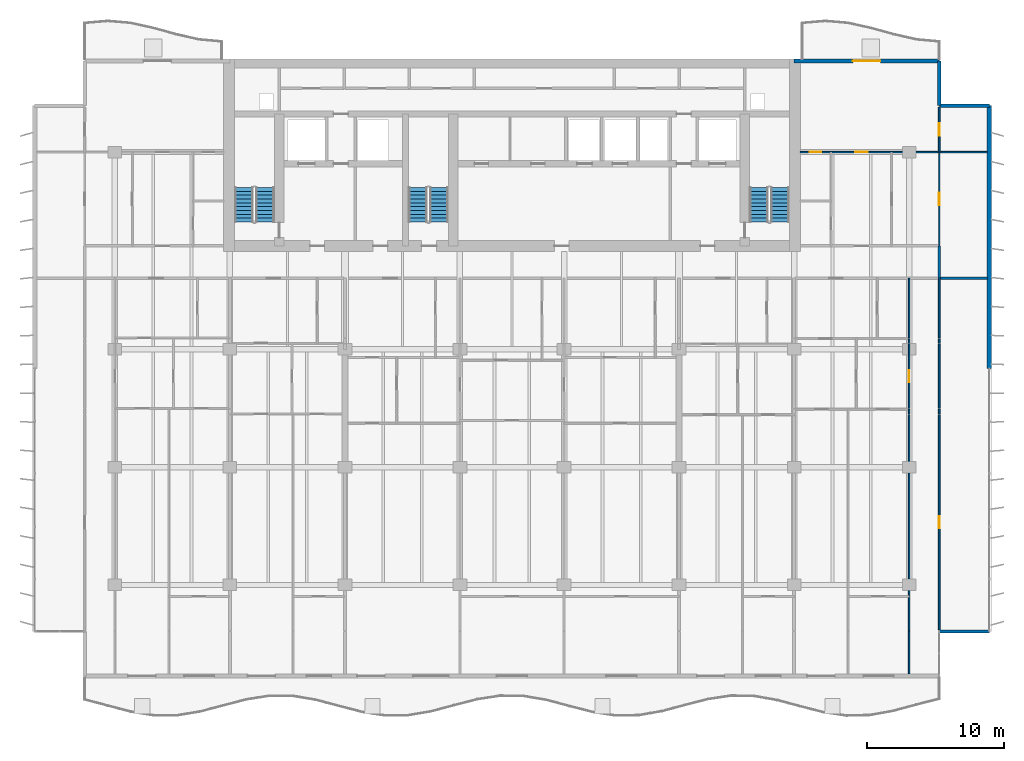
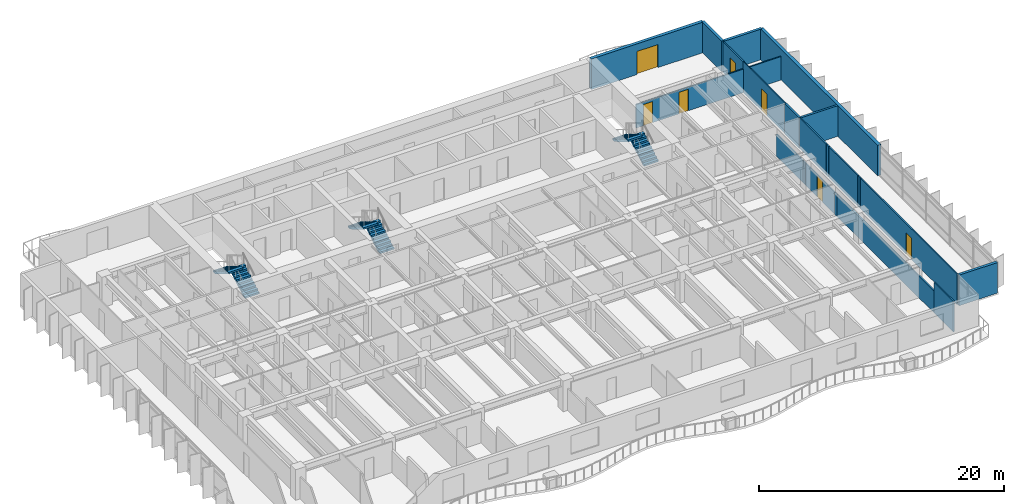
# One storey, part 12 of 17: 21 walls, 7 doors, 6 stair flights, 7 openings, 3 elements without a shape of their own.
"""IFC4 building model written with IfcOpenShell, lengths in metres."""

from ifc_helpers import new_model, si_unit, direction, frame, frame_2d, origin, place, context, subcontext, project, spatial, polyline, rectangle, outline, extrude, material, layer, layer_set, type_object, element, fill, aggregate, save


model = new_model("IFC4")

# Units and contexts
model_context = context("Model", 3, precision=1e-05, world=origin(), true_north=direction((0.0, 1.0)))
body_context = subcontext(model_context, "Body", "Model", "MODEL_VIEW")
ifc_project = project(units=[si_unit("LENGTHUNIT", "METRE"), si_unit("AREAUNIT", "SQUARE_METRE"), si_unit("VOLUMEUNIT", "CUBIC_METRE"), si_unit("PLANEANGLEUNIT", "RADIAN"), si_unit("MASSUNIT", "GRAM", prefix="KILO")], contexts=[model_context])

# Site, building, storey
site_placement = place(None, origin())
site = spatial("IfcSite", under=ifc_project, at=site_placement, CompositionType="ELEMENT")
building_placement = place(site_placement, origin())
building = spatial("IfcBuilding", under=site, at=building_placement, Name="Caelmar Bay Residences", CompositionType="ELEMENT")
storey_placement = place(building_placement, frame((0.0, 0.0, 105.89990234375)))
storey = spatial("IfcBuildingStorey", under=building, at=storey_placement, Name="L28", CompositionType="ELEMENT", Elevation=105.89990234375)

# Walls
ifc_material_1 = material(Name="Double-stud acoustic fire-rated gypsum partition 180 mm")
ifc_layer_1 = layer(ifc_material_1, 0.179931640625)
ifc_layer_set_1 = layer_set([ifc_layer_1], Name="Double-stud acoustic fire-rated gypsum partition 180 mm")
wall_type_1 = type_object("IfcWallType", Name="W-COR-200", PredefinedType="PARTITIONING", material=ifc_layer_set_1)
wall_1_placement = place(storey_placement, frame((70.10009765625, 34.60498046875, 0.0), z_axis=(0.0, 0.0, 1.0), x_axis=(0.0, 1.0, 0.0)))
element("IfcWall", 1, at=wall_1_placement, inside=storey, type_object=wall_type_1, Name="L28 Partition Wall V117", PredefinedType="PARTITIONING", context=body_context, shape_type="SweptSolid", body=[
    extrude(rectangle(XDim=2.344970703125, YDim=0.179931640625, at=frame_2d((1.17236328125, 0.0))), origin(), (0.0, 0.0, 1.0), 3.050048828125),
])
ifc_material_2 = material(Name="Precast concrete f'c 40 MPa (6,000 psi)", Category="concrete")
ifc_layer_2 = layer(ifc_material_2, 0.25)
ifc_layer_set_2 = layer_set([ifc_layer_2], Name="Precast concrete f'c 40 MPa (6,000 psi)")
wall_type_2 = type_object("IfcWallType", Name="W-EXT-250", PredefinedType="ELEMENTEDWALL", material=ifc_layer_set_2)
wall_2_placement = place(storey_placement, frame((70.10009765625, 8.800048828125, 0.0), z_axis=(0.0, 0.0, 1.0), x_axis=(1.0, 0.0, 0.0)))
element("IfcWall", 2, at=wall_2_placement, inside=storey, type_object=wall_type_2, Name="L28 SE Notch Return Wall", PredefinedType="ELEMENTEDWALL", context=body_context, shape_type="SweptSolid", body=[
    extrude(rectangle(XDim=3.64990234375, YDim=0.25, at=frame_2d((1.824951171875, 0.0))), origin(), (0.0, 0.0, 1.0), 3.050048828125),
])
wall_3_placement = place(storey_placement, frame((70.10009765625, 50.449951171875, 0.0), z_axis=(0.0, 0.0, 1.0), x_axis=(0.0, -1.0, 0.0)))
element("IfcWall", 3, at=wall_3_placement, inside=storey, type_object=wall_type_2, Name="L28 NNE-V Notch Wall", PredefinedType="ELEMENTEDWALL", context=body_context, shape_type="SweptSolid", body=[
    extrude(rectangle(XDim=3.25, YDim=0.25, at=frame_2d((1.625, 0.0))), origin(), (0.0, 0.0, 1.0), 3.050048828125),
])
wall_4_placement = place(storey_placement, frame((70.10009765625, 47.199951171875, 0.0), z_axis=(0.0, 0.0, 1.0), x_axis=(1.0, 0.0, 0.0)))
element("IfcWall", 4, at=wall_4_placement, inside=storey, type_object=wall_type_2, Name="L28 NNE-H Notch Wall", PredefinedType="ELEMENTEDWALL", context=body_context, shape_type="SweptSolid", body=[
    extrude(rectangle(XDim=3.64990234375, YDim=0.25, at=frame_2d((1.824951171875, 0.0))), origin(), (0.0, 0.0, 1.0), 3.050048828125),
])
ifc_layer_3 = layer(ifc_material_2, 0.300048828125)
ifc_layer_set_3 = layer_set([ifc_layer_3], Name="Precast concrete f'c 40 MPa (6,000 psi)")
wall_type_3 = type_object("IfcWallType", Name="W-EXT-300", PredefinedType="STANDARD", material=ifc_layer_set_3)
wall_5_placement = place(storey_placement, frame((73.75, 47.199951171875, 0.0), z_axis=(0.0, 0.0, 1.0), x_axis=(0.0, -1.0, 0.0)))
element("IfcWall", 5, at=wall_5_placement, inside=storey, type_object=wall_type_3, Name="L28 East Rear Exterior Wall", PredefinedType="STANDARD", context=body_context, shape_type="SweptSolid", body=[
    extrude(rectangle(XDim=19.199951171875, YDim=0.300048828125, at=frame_2d((9.60009765625, 0.0))), origin(), (0.0, 0.0, 1.0), 3.050048828125),
])

# Wall, opening, door
wall_6_placement = place(storey_placement, frame((59.5, 50.449951171875, 0.0), z_axis=(0.0, 0.0, 1.0), x_axis=(1.0, 0.0, 0.0)))
wall_6 = element("IfcWall", 6, at=wall_6_placement, inside=storey, type_object=wall_type_3, Name="L28 North-East Wing Exterior Wall", PredefinedType="STANDARD", context=body_context, shape_type="SweptSolid", body=[
    extrude(rectangle(XDim=10.60009765625, YDim=0.300048828125, at=frame_2d((5.300048828125, 0.0))), origin(), (0.0, 0.0, 1.0), 3.050048828125),
])
opening_1_placement = place(wall_6_placement, frame((4.300048828125, 0.0, 0.0)))
opening_1 = element("IfcOpeningElement", 7, at=opening_1_placement, cuts=wall_6, Name="Opening L28-BDNE", PredefinedType="OPENING", context=body_context, shape_type="SweptSolid", body=[
    extrude(rectangle(XDim=2.0, YDim=2.300048828125, at=frame_2d((1.0, 1.14990234375))), frame((0.0, 0.159912109375, 0.0), z_axis=(0.0, -1.0, 0.0), x_axis=(1.0, 0.0, 0.0)), (0.0, 0.0, 1.0), 0.320068359375),
])
ifc_material_3 = material(Name="Anodised bronze thermally broken sliding glass door", Category="glass")
ifc_layer_4 = layer(ifc_material_3, 0.050048828125)
ifc_layer_set_4 = layer_set([ifc_layer_4], Name="Anodised bronze thermally broken sliding glass door")
door_type_1 = type_object("IfcDoorType", Name="D-BAL-2000", OperationType="DOUBLE_DOOR_SLIDING", PredefinedType="DOOR", material=ifc_layer_set_4)
door_1_placement = place(opening_1_placement, origin())
door_1 = element("IfcDoor", 8, at=door_1_placement, inside=storey, type_object=door_type_1, Name="L28 North-East Balcony Door", OperationType="DOUBLE_DOOR_SLIDING", OverallHeight=2.300048828125, OverallWidth=2.0, PredefinedType="DOOR", context=body_context, shape_type="SweptSolid", body=[
    extrude(rectangle(XDim=2.0, YDim=2.300048828125, at=frame_2d((1.0, 1.14990234375))), frame((0.0, 0.02490234375, 0.0), z_axis=(0.0, -1.0, 0.0), x_axis=(1.0, 0.0, 0.0)), (0.0, 0.0, 1.0), 0.050048828125),
])
fill(opening_1, door_1)

ifc_material_4 = material(Name="Anodised bronze framed acoustic sliding study partition 100 mm")
ifc_layer_5 = layer(ifc_material_4, 0.10009765625)
ifc_layer_set_5 = layer_set([ifc_layer_5], Name="Anodised bronze framed acoustic sliding study partition 100 mm")
wall_type_4 = type_object("IfcWallType", Name="W-MOV-100", PredefinedType="MOVABLE", material=ifc_layer_set_5)
wall_7_placement = place(storey_placement, frame((70.10009765625, 36.955078125, 0.0), z_axis=(0.0, 0.0, 1.0), x_axis=(0.0, 1.0, 0.0)))
wall_7 = element("IfcWall", 9, at=wall_7_placement, inside=storey, type_object=wall_type_4, Name="L28 Partition Wall V118", PredefinedType="MOVABLE", context=body_context, shape_type="SweptSolid", body=[
    extrude(rectangle(XDim=6.844970703125, YDim=0.10009765625, at=frame_2d((3.42236328125, 0.0))), origin(), (0.0, 0.0, 1.0), 3.050048828125),
])
opening_2_placement = place(wall_7_placement, frame((2.972412109375, 0.0, 0.0)))
opening_2 = element("IfcOpeningElement", 10, at=opening_2_placement, cuts=wall_7, Name="Opening D-L28-183", PredefinedType="OPENING", context=body_context, shape_type="SweptSolid", body=[
    extrude(rectangle(XDim=0.89990234375, YDim=2.14990234375, at=frame_2d((0.449951171875, 1.074951171875))), frame((0.0, 0.06005859375, 0.0), z_axis=(0.0, -1.0, 0.0), x_axis=(1.0, 0.0, 0.0)), (0.0, 0.0, 1.0), 0.1201171875),
])
ifc_material_5 = material(Name="Solid walnut timber interior door leaf and frame", Category="wood")
ifc_layer_6 = layer(ifc_material_5, 0.050048828125)
ifc_layer_set_6 = layer_set([ifc_layer_6], Name="Solid walnut timber interior door leaf and frame")
door_type_2 = type_object("IfcDoorType", Name="D-ROOM-900", OperationType="NOTDEFINED", PredefinedType="DOOR", material=ifc_layer_set_6)
door_2_placement = place(opening_2_placement, origin())
door_2 = element("IfcDoor", 11, at=door_2_placement, inside=storey, type_object=door_type_2, Name="L28 Residence EA Sun Study Door", OperationType="SINGLE_SWING_LEFT", OverallHeight=2.14990234375, OverallWidth=0.89990234375, PredefinedType="DOOR", context=body_context, shape_type="SweptSolid", body=[
    extrude(rectangle(XDim=0.89990234375, YDim=2.14990234375, at=frame_2d((0.449951171875, 1.074951171875))), frame((0.0, 0.02490234375, 0.0), z_axis=(0.0, -1.0, 0.0), x_axis=(1.0, 0.0, 0.0)), (0.0, 0.0, 1.0), 0.050048828125),
])
fill(opening_2, door_2)

# Walls
ifc_material_6 = material(Name="Acoustic metal-stud gypsum partition 120 mm")
ifc_layer_7 = layer(ifc_material_6, 0.1201171875)
ifc_layer_set_7 = layer_set([ifc_layer_7], Name="Acoustic metal-stud gypsum partition 120 mm")
wall_type_5 = type_object("IfcWallType", Name="W-PRT-120", PredefinedType="PARTITIONING", material=ifc_layer_set_7)
wall_8_placement = place(storey_placement, frame((67.89990234375, 5.695068359375, 0.0), z_axis=(0.0, 0.0, 1.0), x_axis=(0.0, 1.0, 0.0)))
element("IfcWall", 12, at=wall_8_placement, inside=storey, type_object=wall_type_5, Name="L28 Partition Wall V106", PredefinedType="PARTITIONING", context=body_context, shape_type="SweptSolid", body=[
    extrude(rectangle(XDim=3.10498046875, YDim=0.1201171875, at=frame_2d((1.552490234375, 0.0))), origin(), (0.0, 0.0, 1.0), 3.050048828125),
])
wall_9_placement = place(storey_placement, frame((67.89990234375, 8.840087890625, 0.0), z_axis=(0.0, 0.0, 1.0), x_axis=(0.0, 1.0, 0.0)))
element("IfcWall", 13, at=wall_9_placement, inside=storey, type_object=wall_type_5, Name="L28 Partition Wall V107", PredefinedType="PARTITIONING", context=body_context, shape_type="SweptSolid", body=[
    extrude(rectangle(XDim=15.789794921875, YDim=0.1201171875, at=frame_2d((7.89501953125, 0.0))), origin(), (0.0, 0.0, 1.0), 2.174072265625),
])
wall_10_placement = place(storey_placement, frame((67.89990234375, 24.68994140625, 0.0), z_axis=(0.0, 0.0, 1.0), x_axis=(0.0, 1.0, 0.0)))
element("IfcWall", 14, at=wall_10_placement, inside=storey, type_object=wall_type_5, Name="L28 Partition Wall V108", PredefinedType="PARTITIONING", context=body_context, shape_type="SweptSolid", body=[
    extrude(rectangle(XDim=0.340087890625, YDim=0.1201171875, at=frame_2d((0.169921875, 0.0))), origin(), (0.0, 0.0, 1.0), 2.174072265625),
])

# Wall, opening, door
wall_11_placement = place(storey_placement, frame((67.89990234375, 25.090087890625, 0.0), z_axis=(0.0, 0.0, 1.0), x_axis=(0.0, 1.0, 0.0)))
wall_11 = element("IfcWall", 15, at=wall_11_placement, inside=storey, type_object=wall_type_5, Name="L28 Partition Wall V109", PredefinedType="PARTITIONING", context=body_context, shape_type="SweptSolid", body=[
    extrude(rectangle(XDim=4.68994140625, YDim=0.1201171875, at=frame_2d((2.344970703125, 0.0))), origin(), (0.0, 0.0, 1.0), 2.174072265625),
])
opening_3_placement = place(wall_11_placement, frame((1.89501953125, 0.0, 0.0)))
opening_3 = element("IfcOpeningElement", 16, at=opening_3_placement, cuts=wall_11, Name="Opening D-L28-168", PredefinedType="OPENING", context=body_context, shape_type="SweptSolid", body=[
    extrude(rectangle(XDim=0.89990234375, YDim=2.1240234375, at=frame_2d((0.449951171875, 1.06201171875))), frame((0.0, 0.070068359375, 0.0), z_axis=(0.0, -1.0, 0.0), x_axis=(1.0, 0.0, 0.0)), (0.0, 0.0, 1.0), 0.14013671875),
])
door_3_placement = place(opening_3_placement, origin())
door_3 = element("IfcDoor", 17, at=door_3_placement, inside=storey, type_object=door_type_2, Name="L28 Residence 05 East Apartment Hall Door", OperationType="SINGLE_SWING_RIGHT", OverallHeight=2.1240234375, OverallWidth=0.89990234375, PredefinedType="DOOR", context=body_context, shape_type="SweptSolid", body=[
    extrude(rectangle(XDim=0.89990234375, YDim=2.1240234375, at=frame_2d((0.449951171875, 1.06201171875))), frame((0.0, 0.02490234375, 0.0), z_axis=(0.0, -1.0, 0.0), x_axis=(1.0, 0.0, 0.0)), (0.0, 0.0, 1.0), 0.050048828125),
])
fill(opening_3, door_3)

# Walls
wall_12_placement = place(storey_placement, frame((67.89990234375, 29.840087890625, 0.0), z_axis=(0.0, 0.0, 1.0), x_axis=(0.0, 1.0, 0.0)))
element("IfcWall", 18, at=wall_12_placement, inside=storey, type_object=wall_type_5, Name="L28 Partition Wall V110", PredefinedType="PARTITIONING", context=body_context, shape_type="SweptSolid", body=[
    extrude(rectangle(XDim=0.33984375, YDim=0.1201171875, at=frame_2d((0.169921875, 0.0))), origin(), (0.0, 0.0, 1.0), 2.174072265625),
])
wall_13_placement = place(storey_placement, frame((67.89990234375, 30.239990234375, 0.0), z_axis=(0.0, 0.0, 1.0), x_axis=(0.0, 1.0, 0.0)))
element("IfcWall", 19, at=wall_13_placement, inside=storey, type_object=wall_type_5, Name="L28 Partition Wall V111", PredefinedType="PARTITIONING", context=body_context, shape_type="SweptSolid", body=[
    extrude(rectangle(XDim=4.360107421875, YDim=0.1201171875, at=frame_2d((2.18017578125, 0.0))), origin(), (0.0, 0.0, 1.0), 2.174072265625),
])

# Wall, opening, door
wall_14_placement = place(storey_placement, frame((70.10009765625, 8.919921875, 0.0), z_axis=(0.0, 0.0, 1.0), x_axis=(0.0, 1.0, 0.0)))
wall_14 = element("IfcWall", 20, at=wall_14_placement, inside=storey, type_object=wall_type_5, Name="L28 Partition Wall V112", PredefinedType="PARTITIONING", context=body_context, shape_type="SweptSolid", body=[
    extrude(rectangle(XDim=15.7099609375, YDim=0.1201171875, at=frame_2d((7.85498046875, 0.0))), origin(), (0.0, 0.0, 1.0), 3.050048828125),
])
opening_4_placement = place(wall_14_placement, frame((7.405029296875, 0.0, 0.0)))
opening_4 = element("IfcOpeningElement", 21, at=opening_4_placement, cuts=wall_14, Name="Opening D-L28-170", PredefinedType="OPENING", context=body_context, shape_type="SweptSolid", body=[
    extrude(rectangle(XDim=0.89990234375, YDim=2.14990234375, at=frame_2d((0.449951171875, 1.074951171875))), frame((0.0, 0.070068359375, 0.0), z_axis=(0.0, -1.0, 0.0), x_axis=(1.0, 0.0, 0.0)), (0.0, 0.0, 1.0), 0.14013671875),
])
door_4_placement = place(opening_4_placement, origin())
door_4 = element("IfcDoor", 22, at=door_4_placement, inside=storey, type_object=door_type_2, Name="L28 Residence 05 Penthouse East Salon Door", OperationType="SINGLE_SWING_RIGHT", OverallHeight=2.14990234375, OverallWidth=0.89990234375, PredefinedType="DOOR", context=body_context, shape_type="SweptSolid", body=[
    extrude(rectangle(XDim=0.89990234375, YDim=2.14990234375, at=frame_2d((0.449951171875, 1.074951171875))), frame((0.0, 0.02490234375, 0.0), z_axis=(0.0, -1.0, 0.0), x_axis=(1.0, 0.0, 0.0)), (0.0, 0.0, 1.0), 0.050048828125),
])
fill(opening_4, door_4)

# Walls
wall_15_placement = place(storey_placement, frame((70.10009765625, 24.68994140625, 0.0), z_axis=(0.0, 0.0, 1.0), x_axis=(0.0, 1.0, 0.0)))
element("IfcWall", 23, at=wall_15_placement, inside=storey, type_object=wall_type_5, Name="L28 Partition Wall V113", PredefinedType="PARTITIONING", context=body_context, shape_type="SweptSolid", body=[
    extrude(rectangle(XDim=0.340087890625, YDim=0.1201171875, at=frame_2d((0.169921875, 0.0))), origin(), (0.0, 0.0, 1.0), 3.050048828125),
])
wall_16_placement = place(storey_placement, frame((70.10009765625, 25.090087890625, 0.0), z_axis=(0.0, 0.0, 1.0), x_axis=(0.0, 1.0, 0.0)))
element("IfcWall", 24, at=wall_16_placement, inside=storey, type_object=wall_type_5, Name="L28 Partition Wall V114", PredefinedType="PARTITIONING", context=body_context, shape_type="SweptSolid", body=[
    extrude(rectangle(XDim=4.68994140625, YDim=0.1201171875, at=frame_2d((2.344970703125, 0.0))), origin(), (0.0, 0.0, 1.0), 3.050048828125),
])
wall_17_placement = place(storey_placement, frame((70.10009765625, 29.840087890625, 0.0), z_axis=(0.0, 0.0, 1.0), x_axis=(0.0, 1.0, 0.0)))
element("IfcWall", 25, at=wall_17_placement, inside=storey, type_object=wall_type_5, Name="L28 Partition Wall V115", PredefinedType="PARTITIONING", context=body_context, shape_type="SweptSolid", body=[
    extrude(rectangle(XDim=0.33984375, YDim=0.1201171875, at=frame_2d((0.169921875, 0.0))), origin(), (0.0, 0.0, 1.0), 3.050048828125),
])
wall_18_placement = place(storey_placement, frame((70.10009765625, 30.239990234375, 0.0), z_axis=(0.0, 0.0, 1.0), x_axis=(0.0, 1.0, 0.0)))
element("IfcWall", 26, at=wall_18_placement, inside=storey, type_object=wall_type_5, Name="L28 Partition Wall V116", PredefinedType="PARTITIONING", context=body_context, shape_type="SweptSolid", body=[
    extrude(rectangle(XDim=4.360107421875, YDim=0.1201171875, at=frame_2d((2.18017578125, 0.0))), origin(), (0.0, 0.0, 1.0), 3.050048828125),
])

# Wall, opening, door
wall_19_placement = place(storey_placement, frame((70.10009765625, 43.804931640625, 0.0), z_axis=(0.0, 0.0, 1.0), x_axis=(0.0, 1.0, 0.0)))
wall_19 = element("IfcWall", 27, at=wall_19_placement, inside=storey, type_object=wall_type_5, Name="L28 Partition Wall V119", PredefinedType="PARTITIONING", context=body_context, shape_type="SweptSolid", body=[
    extrude(rectangle(XDim=3.275146484375, YDim=0.1201171875, at=frame_2d((1.6376953125, 0.0))), origin(), (0.0, 0.0, 1.0), 3.050048828125),
])
opening_5_placement = place(wall_19_placement, frame((1.1875, 0.0, 0.0)))
opening_5 = element("IfcOpeningElement", 28, at=opening_5_placement, cuts=wall_19, Name="Opening D-L28-184", PredefinedType="OPENING", context=body_context, shape_type="SweptSolid", body=[
    extrude(rectangle(XDim=0.89990234375, YDim=2.14990234375, at=frame_2d((0.449951171875, 1.074951171875))), frame((0.0, 0.070068359375, 0.0), z_axis=(0.0, -1.0, 0.0), x_axis=(1.0, 0.0, 0.0)), (0.0, 0.0, 1.0), 0.14013671875),
])
door_5_placement = place(opening_5_placement, origin())
door_5 = element("IfcDoor", 29, at=door_5_placement, inside=storey, type_object=door_type_2, Name="L28 Residence EA North Sitting Alcove Door", OperationType="SINGLE_SWING_RIGHT", OverallHeight=2.14990234375, OverallWidth=0.89990234375, PredefinedType="DOOR", context=body_context, shape_type="SweptSolid", body=[
    extrude(rectangle(XDim=0.89990234375, YDim=2.14990234375, at=frame_2d((0.449951171875, 1.074951171875))), frame((0.0, 0.02490234375, 0.0), z_axis=(0.0, -1.0, 0.0), x_axis=(1.0, 0.0, 0.0)), (0.0, 0.0, 1.0), 0.050048828125),
])
fill(opening_5, door_5)

# Wall, openings, doors
wall_20_placement = place(storey_placement, frame((59.945068359375, 43.800048828125, 0.0), z_axis=(0.0, 0.0, 1.0), x_axis=(1.0, 0.0, 0.0)))
wall_20 = element("IfcWall", 30, at=wall_20_placement, inside=storey, type_object=wall_type_5, Name="L28 Partition Wall H150", PredefinedType="PARTITIONING", context=body_context, shape_type="SweptSolid", body=[
    extrude(rectangle(XDim=13.659912109375, YDim=0.1201171875, at=frame_2d((6.830078125, 0.0))), origin(), (0.0, 0.0, 1.0), 2.339111328125),
])
opening_6_placement = place(wall_20_placement, frame((4.01708984375, 0.0, 0.0)))
opening_6 = element("IfcOpeningElement", 31, at=opening_6_placement, cuts=wall_20, Name="Opening D-L28-180", PredefinedType="OPENING", context=body_context, shape_type="SweptSolid", body=[
    extrude(rectangle(XDim=0.89990234375, YDim=2.14990234375, at=frame_2d((0.449951171875, 1.074951171875))), frame((0.0, 0.070068359375, 0.0), z_axis=(0.0, -1.0, 0.0), x_axis=(1.0, 0.0, 0.0)), (0.0, 0.0, 1.0), 0.14013671875),
])
opening_7_placement = place(wall_20_placement, frame((0.702392578125, 0.0, 0.0)))
opening_7 = element("IfcOpeningElement", 32, at=opening_7_placement, cuts=wall_20, Name="Opening D-L28-182", PredefinedType="OPENING", context=body_context, shape_type="SweptSolid", body=[
    extrude(rectangle(XDim=0.85009765625, YDim=2.10009765625, at=frame_2d((0.425048828125, 1.050048828125))), frame((0.0, 0.070068359375, 0.0), z_axis=(0.0, -1.0, 0.0), x_axis=(1.0, 0.0, 0.0)), (0.0, 0.0, 1.0), 0.14013671875),
])
ifc_layer_8 = layer(ifc_material_5, 0.050048828125)
ifc_layer_set_8 = layer_set([ifc_layer_8], Name="Solid walnut timber interior door leaf and frame")
door_type_3 = type_object("IfcDoorType", Name="D-BATH-850", OperationType="NOTDEFINED", PredefinedType="DOOR", material=ifc_layer_set_8)
door_6_placement = place(opening_7_placement, origin())
door_6 = element("IfcDoor", 33, at=door_6_placement, inside=storey, type_object=door_type_3, Name="L28 Residence EA Bathroom Door", OperationType="SINGLE_SWING_RIGHT", OverallHeight=2.10009765625, OverallWidth=0.85009765625, PredefinedType="DOOR", context=body_context, shape_type="SweptSolid", body=[
    extrude(rectangle(XDim=0.85009765625, YDim=2.10009765625, at=frame_2d((0.425048828125, 1.050048828125))), frame((0.0, 0.02490234375, 0.0), z_axis=(0.0, -1.0, 0.0), x_axis=(1.0, 0.0, 0.0)), (0.0, 0.0, 1.0), 0.050048828125),
])
fill(opening_7, door_6)
door_7_placement = place(opening_6_placement, origin())
door_7 = element("IfcDoor", 34, at=door_7_placement, inside=storey, type_object=door_type_2, Name="L28 Residence EA Studio Living and Sleeping Room Door", OperationType="SINGLE_SWING_RIGHT", OverallHeight=2.14990234375, OverallWidth=0.89990234375, PredefinedType="DOOR", context=body_context, shape_type="SweptSolid", body=[
    extrude(rectangle(XDim=0.89990234375, YDim=2.14990234375, at=frame_2d((0.449951171875, 1.074951171875))), frame((0.0, 0.02490234375, 0.0), z_axis=(0.0, -1.0, 0.0), x_axis=(1.0, 0.0, 0.0)), (0.0, 0.0, 1.0), 0.050048828125),
])
fill(opening_6, door_7)

# Wall
ifc_material_7 = material(Name="Acoustic twin-stud fire-rated inter-tenancy partition 200 mm")
ifc_layer_9 = layer(ifc_material_7, 0.199951171875)
ifc_layer_set_9 = layer_set([ifc_layer_9], Name="Acoustic twin-stud fire-rated inter-tenancy partition 200 mm")
wall_type_6 = type_object("IfcWallType", Name="W-PTY-200", PredefinedType="PARTITIONING", material=ifc_layer_set_9)
wall_21_placement = place(storey_placement, frame((70.10498046875, 34.60009765625, 0.0), z_axis=(0.0, 0.0, 1.0), x_axis=(1.0, 0.0, 0.0)))
element("IfcWall", 35, at=wall_21_placement, inside=storey, type_object=wall_type_6, Name="L28 Partition Wall H144", PredefinedType="PARTITIONING", context=body_context, shape_type="SweptSolid", body=[
    extrude(rectangle(XDim=3.5, YDim=0.199951171875, at=frame_2d((1.75, 0.0))), origin(), (0.0, 0.0, 1.0), 3.050048828125),
])

# Stair, stair flights
ifc_material_8 = material(Name="Concrete f'c 40 MPa (6,000 psi)", Category="concrete")
stair_type = type_object("IfcStairType", Name="ST-TYP-165", PredefinedType="HALF_TURN_STAIR", material=ifc_material_8)
stair_1_placement = place(storey_placement, origin())
stair_1 = element("IfcStair", 36, at=stair_1_placement, inside=storey, type_object=stair_type, Name="L28 West Smokeproof Exit Stair ST1", PredefinedType="HALF_TURN_STAIR")
stair_flight_type = type_object("IfcStairFlightType", Name="STF-1350", PredefinedType="STRAIGHT", material=ifc_material_8)
stair_flight_1_placement = place(storey_placement, frame((20.875, 38.699951171875, 0.0), z_axis=(0.0, 0.0, 1.0), x_axis=(0.0, 1.0, 0.0)))
stair_flight_1 = element("IfcStairFlight", 37, at=stair_flight_1_placement, type_object=stair_flight_type, Name="ST1 flight 1", NumberOfRisers=10, NumberOfTreads=9, PredefinedType="STRAIGHT", RiserHeight=0.165, TreadLength=0.28, context=body_context, shape_type="SweptSolid", body=[
    extrude(outline(polyline([(0.0, 0.0), (0.0, 0.1650390625), (0.280029296875, 0.1650390625), (0.280029296875, 0.330078125), (0.56005859375, 0.330078125), (0.56005859375, 0.4951171875), (0.840087890625, 0.4951171875), (0.840087890625, 0.659912109375), (1.1201171875, 0.659912109375), (1.1201171875, 0.824951171875), (1.39990234375, 0.824951171875), (1.39990234375, 0.989990234375), (1.679931640625, 0.989990234375), (1.679931640625, 1.155029296875), (1.9599609375, 1.155029296875), (1.9599609375, 1.320068359375), (2.239990234375, 1.320068359375), (2.239990234375, 1.485107421875), (2.52001953125, 1.485107421875), (2.52001953125, 1.64990234375), (2.52001953125, 1.31103515625), (0.295166015625, 0.0), (0.0, 0.0)])), frame((0.0, 0.675048828125, 0.0), z_axis=(0.0, -1.0, 0.0), x_axis=(1.0, 0.0, 0.0)), (0.0, 0.0, 1.0), 1.35009765625),
])
stair_flight_2_placement = place(storey_placement, frame((19.324951171875, 41.219970703125, 1.650146484375), z_axis=(0.0, 0.0, 1.0), x_axis=(0.0, -1.0, 0.0)))
stair_flight_2 = element("IfcStairFlight", 38, at=stair_flight_2_placement, type_object=stair_flight_type, Name="ST1 flight 2", NumberOfRisers=10, NumberOfTreads=9, PredefinedType="STRAIGHT", RiserHeight=0.165, TreadLength=0.28, context=body_context, shape_type="SweptSolid", body=[
    extrude(outline(polyline([(0.0, 0.0), (0.0, 0.1650390625), (0.280029296875, 0.1650390625), (0.280029296875, 0.330078125), (0.56005859375, 0.330078125), (0.56005859375, 0.4951171875), (0.840087890625, 0.4951171875), (0.840087890625, 0.659912109375), (1.1201171875, 0.659912109375), (1.1201171875, 0.824951171875), (1.39990234375, 0.824951171875), (1.39990234375, 0.989990234375), (1.679931640625, 0.989990234375), (1.679931640625, 1.155029296875), (1.9599609375, 1.155029296875), (1.9599609375, 1.320068359375), (2.239990234375, 1.320068359375), (2.239990234375, 1.485107421875), (2.52001953125, 1.485107421875), (2.52001953125, 1.64990234375), (2.52001953125, 1.31103515625), (0.295166015625, 0.0), (0.0, 0.0)])), frame((0.0, 0.675048828125, 0.0), z_axis=(0.0, -1.0, 0.0), x_axis=(1.0, 0.0, 0.0)), (0.0, 0.0, 1.0), 1.35009765625),
])
aggregate(stair_1, [stair_flight_1, stair_flight_2])

stair_2_placement = place(storey_placement, origin())
stair_2 = element("IfcStair", 39, at=stair_2_placement, inside=storey, type_object=stair_type, Name="L28 East Smokeproof Exit Stair ST2", PredefinedType="HALF_TURN_STAIR")
stair_flight_3_placement = place(storey_placement, frame((58.47509765625, 38.699951171875, 0.0), z_axis=(0.0, 0.0, 1.0), x_axis=(0.0, 1.0, 0.0)))
stair_flight_3 = element("IfcStairFlight", 40, at=stair_flight_3_placement, type_object=stair_flight_type, Name="ST2 flight 1", NumberOfRisers=10, NumberOfTreads=9, PredefinedType="STRAIGHT", RiserHeight=0.165, TreadLength=0.28, context=body_context, shape_type="SweptSolid", body=[
    extrude(outline(polyline([(0.0, 0.0), (0.0, 0.1650390625), (0.280029296875, 0.1650390625), (0.280029296875, 0.330078125), (0.56005859375, 0.330078125), (0.56005859375, 0.4951171875), (0.840087890625, 0.4951171875), (0.840087890625, 0.659912109375), (1.1201171875, 0.659912109375), (1.1201171875, 0.824951171875), (1.39990234375, 0.824951171875), (1.39990234375, 0.989990234375), (1.679931640625, 0.989990234375), (1.679931640625, 1.155029296875), (1.9599609375, 1.155029296875), (1.9599609375, 1.320068359375), (2.239990234375, 1.320068359375), (2.239990234375, 1.485107421875), (2.52001953125, 1.485107421875), (2.52001953125, 1.64990234375), (2.52001953125, 1.31103515625), (0.295166015625, 0.0), (0.0, 0.0)])), frame((0.0, 0.675048828125, 0.0), z_axis=(0.0, -1.0, 0.0), x_axis=(1.0, 0.0, 0.0)), (0.0, 0.0, 1.0), 1.35009765625),
])
stair_flight_4_placement = place(storey_placement, frame((56.925048828125, 41.219970703125, 1.650146484375), z_axis=(0.0, 0.0, 1.0), x_axis=(0.0, -1.0, 0.0)))
stair_flight_4 = element("IfcStairFlight", 41, at=stair_flight_4_placement, type_object=stair_flight_type, Name="ST2 flight 2", NumberOfRisers=10, NumberOfTreads=9, PredefinedType="STRAIGHT", RiserHeight=0.165, TreadLength=0.28, context=body_context, shape_type="SweptSolid", body=[
    extrude(outline(polyline([(0.0, 0.0), (0.0, 0.1650390625), (0.280029296875, 0.1650390625), (0.280029296875, 0.330078125), (0.56005859375, 0.330078125), (0.56005859375, 0.4951171875), (0.840087890625, 0.4951171875), (0.840087890625, 0.659912109375), (1.1201171875, 0.659912109375), (1.1201171875, 0.824951171875), (1.39990234375, 0.824951171875), (1.39990234375, 0.989990234375), (1.679931640625, 0.989990234375), (1.679931640625, 1.155029296875), (1.9599609375, 1.155029296875), (1.9599609375, 1.320068359375), (2.239990234375, 1.320068359375), (2.239990234375, 1.485107421875), (2.52001953125, 1.485107421875), (2.52001953125, 1.64990234375), (2.52001953125, 1.31103515625), (0.295166015625, 0.0), (0.0, 0.0)])), frame((0.0, 0.675048828125, 0.0), z_axis=(0.0, -1.0, 0.0), x_axis=(1.0, 0.0, 0.0)), (0.0, 0.0, 1.0), 1.35009765625),
])
aggregate(stair_2, [stair_flight_3, stair_flight_4])

stair_3_placement = place(storey_placement, origin())
stair_3 = element("IfcStair", 42, at=stair_3_placement, inside=storey, type_object=stair_type, Name="L28 Central Smokeproof Exit Stair ST3", PredefinedType="HALF_TURN_STAIR")
stair_flight_5_placement = place(storey_placement, frame((33.574951171875, 38.699951171875, 0.0), z_axis=(0.0, 0.0, 1.0), x_axis=(0.0, 1.0, 0.0)))
stair_flight_5 = element("IfcStairFlight", 43, at=stair_flight_5_placement, type_object=stair_flight_type, Name="ST3 flight 1", NumberOfRisers=10, NumberOfTreads=9, PredefinedType="STRAIGHT", RiserHeight=0.165, TreadLength=0.28, context=body_context, shape_type="SweptSolid", body=[
    extrude(outline(polyline([(0.0, 0.0), (0.0, 0.1650390625), (0.280029296875, 0.1650390625), (0.280029296875, 0.330078125), (0.56005859375, 0.330078125), (0.56005859375, 0.4951171875), (0.840087890625, 0.4951171875), (0.840087890625, 0.659912109375), (1.1201171875, 0.659912109375), (1.1201171875, 0.824951171875), (1.39990234375, 0.824951171875), (1.39990234375, 0.989990234375), (1.679931640625, 0.989990234375), (1.679931640625, 1.155029296875), (1.9599609375, 1.155029296875), (1.9599609375, 1.320068359375), (2.239990234375, 1.320068359375), (2.239990234375, 1.485107421875), (2.52001953125, 1.485107421875), (2.52001953125, 1.64990234375), (2.52001953125, 1.31103515625), (0.295166015625, 0.0), (0.0, 0.0)])), frame((0.0, 0.675048828125, 0.0), z_axis=(0.0, -1.0, 0.0), x_axis=(1.0, 0.0, 0.0)), (0.0, 0.0, 1.0), 1.35009765625),
])
stair_flight_6_placement = place(storey_placement, frame((32.02490234375, 41.219970703125, 1.650146484375), z_axis=(0.0, 0.0, 1.0), x_axis=(0.0, -1.0, 0.0)))
stair_flight_6 = element("IfcStairFlight", 44, at=stair_flight_6_placement, type_object=stair_flight_type, Name="ST3 flight 2", NumberOfRisers=10, NumberOfTreads=9, PredefinedType="STRAIGHT", RiserHeight=0.165, TreadLength=0.28, context=body_context, shape_type="SweptSolid", body=[
    extrude(outline(polyline([(0.0, 0.0), (0.0, 0.1650390625), (0.280029296875, 0.1650390625), (0.280029296875, 0.330078125), (0.56005859375, 0.330078125), (0.56005859375, 0.4951171875), (0.840087890625, 0.4951171875), (0.840087890625, 0.659912109375), (1.1201171875, 0.659912109375), (1.1201171875, 0.824951171875), (1.39990234375, 0.824951171875), (1.39990234375, 0.989990234375), (1.679931640625, 0.989990234375), (1.679931640625, 1.155029296875), (1.9599609375, 1.155029296875), (1.9599609375, 1.320068359375), (2.239990234375, 1.320068359375), (2.239990234375, 1.485107421875), (2.52001953125, 1.485107421875), (2.52001953125, 1.64990234375), (2.52001953125, 1.31103515625), (0.295166015625, 0.0), (0.0, 0.0)])), frame((0.0, 0.675048828125, 0.0), z_axis=(0.0, -1.0, 0.0), x_axis=(1.0, 0.0, 0.0)), (0.0, 0.0, 1.0), 1.35009765625),
])
aggregate(stair_3, [stair_flight_5, stair_flight_6])

save(model, "model.ifc")
